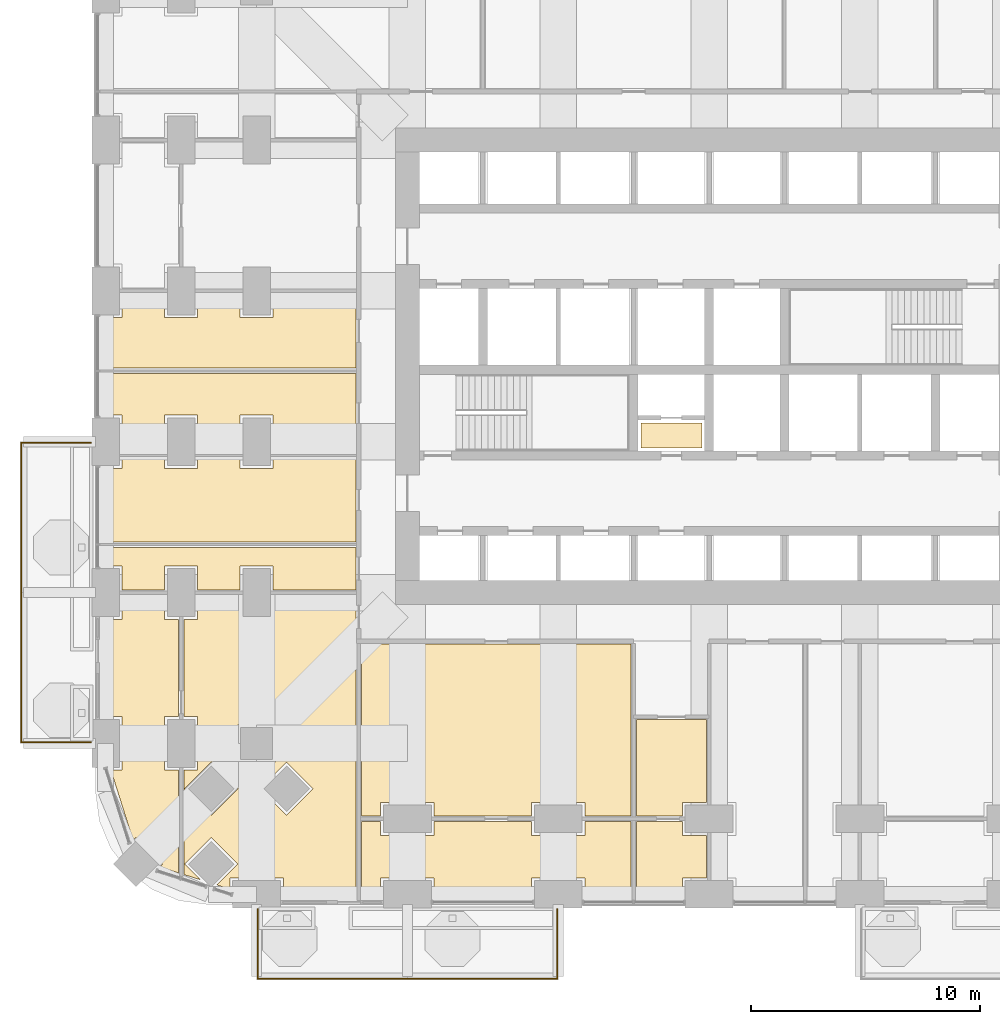
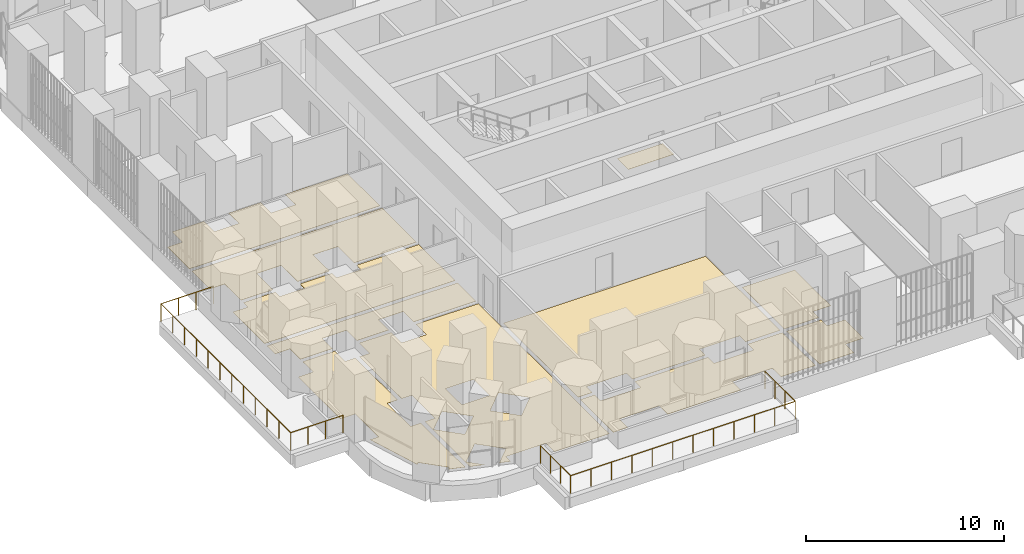
# One storey, part 23 of 27: 11 coverings, 2 railings.
"""IFC4 building model written with IfcOpenShell, lengths in metres."""

from ifc_helpers import new_model, si_unit, direction, frame, origin, place, context, subcontext, project, spatial, polyline, outline, extrude, material, layer, layer_set, type_object, element, save


model = new_model("IFC4")

# Units and contexts
model_context = context("Model", 3, precision=1e-05, world=origin(), true_north=direction((0.0, 1.0)))
body_context = subcontext(model_context, "Body", "Model", "MODEL_VIEW")
ifc_project = project(units=[si_unit("LENGTHUNIT", "METRE"), si_unit("AREAUNIT", "SQUARE_METRE"), si_unit("VOLUMEUNIT", "CUBIC_METRE"), si_unit("PLANEANGLEUNIT", "RADIAN"), si_unit("MASSUNIT", "GRAM", prefix="KILO")], contexts=[model_context])

# Site, building, storey
site_placement = place(None, origin())
site = spatial("IfcSite", under=ifc_project, at=site_placement, CompositionType="ELEMENT")
building_placement = place(site_placement, origin())
building = spatial("IfcBuilding", under=site, at=building_placement, Name="Cobogo Forest Laboratory Tower", CompositionType="ELEMENT")
storey_placement = place(building_placement, frame((0.0, 0.0, 54.89990234375)))
storey = spatial("IfcBuildingStorey", under=building, at=storey_placement, Name="L12", CompositionType="ELEMENT", Elevation=54.89990234375)

# Railings
ifc_material_1 = material(Name="Laminated glass balustrade", Category="glass")
railing_type = type_object("IfcRailingType", Name="BG1 glass balustrade 1100", PredefinedType="GUARDRAIL", material=ifc_material_1)
railing_1_placement = place(storey_placement, frame((6.64990234375, -0.64990234375, 0.0)))
element("IfcRailing", 1, at=railing_1_placement, inside=storey, type_object=railing_type, Name="Balcony balustrade BAL-S1 L12", PredefinedType="GUARDRAIL", context=body_context, shape_type="SweptSolid", body=[
    extrude(outline(polyline([(0.022216796875, 0.00927734375), (0.00927734375, 0.022216796875), (-0.00927734375, 0.022216796875), (-0.022216796875, 0.00927734375), (-0.022216796875, -0.00927734375), (-0.00927734375, -0.022216796875), (0.00927734375, -0.022216796875), (0.022216796875, -0.00927734375), (0.022216796875, 0.00927734375)])), frame((0.0, 0.0, 1.077880859375), z_axis=(0.0, -1.0, 0.0), x_axis=(1.0, 0.0, 0.0)), (0.0, 0.0, 1.0), 3.050048828125),
    extrude(outline(polyline([(0.022216796875, 0.00927734375), (0.00927734375, 0.022216796875), (-0.00927734375, 0.022216796875), (-0.022216796875, 0.00927734375), (-0.022216796875, -0.00927734375), (-0.00927734375, -0.022216796875), (0.00927734375, -0.022216796875), (0.022216796875, -0.00927734375), (0.022216796875, 0.00927734375)])), frame((0.0, -3.050048828125, 1.077880859375), z_axis=(1.0, 0.0, 0.0), x_axis=(0.0, 1.0, 0.0)), (0.0, 0.0, 1.0), 13.10009765625),
    extrude(outline(polyline([(0.022216796875, 0.00927734375), (0.00927734375, 0.022216796875), (-0.00927734375, 0.022216796875), (-0.022216796875, 0.00927734375), (-0.022216796875, -0.00927734375), (-0.00927734375, -0.022216796875), (0.00927734375, -0.022216796875), (0.022216796875, -0.00927734375), (0.022216796875, 0.00927734375)])), frame((13.10009765625, -3.050048828125, 1.077880859375), z_axis=(0.0, 1.0, 0.0), x_axis=(-1.0, 0.0, 0.0)), (0.0, 0.0, 1.0), 3.050048828125),
    extrude(outline(polyline([(0.019287109375, 0.008056640625), (0.008056640625, 0.019287109375), (-0.008056640625, 0.019287109375), (-0.019287109375, 0.008056640625), (-0.019287109375, -0.008056640625), (-0.008056640625, -0.019287109375), (0.008056640625, -0.019287109375), (0.019287109375, -0.008056640625), (0.019287109375, 0.008056640625)])), origin(), (0.0, 0.0, 1.0), 1.077880859375),
    extrude(outline(polyline([(0.019287109375, 0.008056640625), (0.008056640625, 0.019287109375), (-0.008056640625, 0.019287109375), (-0.019287109375, 0.008056640625), (-0.019287109375, -0.008056640625), (-0.008056640625, -0.019287109375), (0.008056640625, -0.019287109375), (0.019287109375, -0.008056640625), (0.019287109375, 0.008056640625)])), frame((0.0, -1.0166015625, 0.0)), (0.0, 0.0, 1.0), 1.077880859375),
    extrude(outline(polyline([(0.019287109375, 0.008056640625), (0.008056640625, 0.019287109375), (-0.008056640625, 0.019287109375), (-0.019287109375, 0.008056640625), (-0.019287109375, -0.008056640625), (-0.008056640625, -0.019287109375), (0.008056640625, -0.019287109375), (0.019287109375, -0.008056640625), (0.019287109375, 0.008056640625)])), frame((0.0, -2.033447265625, 0.0)), (0.0, 0.0, 1.0), 1.077880859375),
    extrude(outline(polyline([(0.019287109375, 0.008056640625), (0.008056640625, 0.019287109375), (-0.008056640625, 0.019287109375), (-0.019287109375, 0.008056640625), (-0.019287109375, -0.008056640625), (-0.008056640625, -0.019287109375), (0.008056640625, -0.019287109375), (0.019287109375, -0.008056640625), (0.019287109375, 0.008056640625)])), frame((0.0, -3.050048828125, 0.0)), (0.0, 0.0, 1.0), 1.077880859375),
    extrude(outline(polyline([(0.019287109375, 0.008056640625), (0.008056640625, 0.019287109375), (-0.008056640625, 0.019287109375), (-0.019287109375, 0.008056640625), (-0.019287109375, -0.008056640625), (-0.008056640625, -0.019287109375), (0.008056640625, -0.019287109375), (0.019287109375, -0.008056640625), (0.019287109375, 0.008056640625)])), frame((1.19091796875, -3.050048828125, 0.0)), (0.0, 0.0, 1.0), 1.077880859375),
    extrude(outline(polyline([(0.019287109375, 0.008056640625), (0.008056640625, 0.019287109375), (-0.008056640625, 0.019287109375), (-0.019287109375, 0.008056640625), (-0.019287109375, -0.008056640625), (-0.008056640625, -0.019287109375), (0.008056640625, -0.019287109375), (0.019287109375, -0.008056640625), (0.019287109375, 0.008056640625)])), frame((2.3818359375, -3.050048828125, 0.0)), (0.0, 0.0, 1.0), 1.077880859375),
    extrude(outline(polyline([(0.019287109375, 0.008056640625), (0.008056640625, 0.019287109375), (-0.008056640625, 0.019287109375), (-0.019287109375, 0.008056640625), (-0.019287109375, -0.008056640625), (-0.008056640625, -0.019287109375), (0.008056640625, -0.019287109375), (0.019287109375, -0.008056640625), (0.019287109375, 0.008056640625)])), frame((3.57275390625, -3.050048828125, 0.0)), (0.0, 0.0, 1.0), 1.077880859375),
    extrude(outline(polyline([(0.019287109375, 0.008056640625), (0.008056640625, 0.019287109375), (-0.008056640625, 0.019287109375), (-0.019287109375, 0.008056640625), (-0.019287109375, -0.008056640625), (-0.008056640625, -0.019287109375), (0.008056640625, -0.019287109375), (0.019287109375, -0.008056640625), (0.019287109375, 0.008056640625)])), frame((4.763671875, -3.050048828125, 0.0)), (0.0, 0.0, 1.0), 1.077880859375),
    extrude(outline(polyline([(0.019287109375, 0.008056640625), (0.008056640625, 0.019287109375), (-0.008056640625, 0.019287109375), (-0.019287109375, 0.008056640625), (-0.019287109375, -0.008056640625), (-0.008056640625, -0.019287109375), (0.008056640625, -0.019287109375), (0.019287109375, -0.008056640625), (0.019287109375, 0.008056640625)])), frame((5.95458984375, -3.050048828125, 0.0)), (0.0, 0.0, 1.0), 1.077880859375),
    extrude(outline(polyline([(0.019287109375, 0.008056640625), (0.008056640625, 0.019287109375), (-0.008056640625, 0.019287109375), (-0.019287109375, 0.008056640625), (-0.019287109375, -0.008056640625), (-0.008056640625, -0.019287109375), (0.008056640625, -0.019287109375), (0.019287109375, -0.008056640625), (0.019287109375, 0.008056640625)])), frame((7.1455078125, -3.050048828125, 0.0)), (0.0, 0.0, 1.0), 1.077880859375),
    extrude(outline(polyline([(0.019287109375, 0.008056640625), (0.008056640625, 0.019287109375), (-0.008056640625, 0.019287109375), (-0.019287109375, 0.008056640625), (-0.019287109375, -0.008056640625), (-0.008056640625, -0.019287109375), (0.008056640625, -0.019287109375), (0.019287109375, -0.008056640625), (0.019287109375, 0.008056640625)])), frame((8.33642578125, -3.050048828125, 0.0)), (0.0, 0.0, 1.0), 1.077880859375),
    extrude(outline(polyline([(0.019287109375, 0.008056640625), (0.008056640625, 0.019287109375), (-0.008056640625, 0.019287109375), (-0.019287109375, 0.008056640625), (-0.019287109375, -0.008056640625), (-0.008056640625, -0.019287109375), (0.008056640625, -0.019287109375), (0.019287109375, -0.008056640625), (0.019287109375, 0.008056640625)])), frame((9.52734375, -3.050048828125, 0.0)), (0.0, 0.0, 1.0), 1.077880859375),
    extrude(outline(polyline([(0.019287109375, 0.008056640625), (0.008056640625, 0.019287109375), (-0.008056640625, 0.019287109375), (-0.019287109375, 0.008056640625), (-0.019287109375, -0.008056640625), (-0.008056640625, -0.019287109375), (0.008056640625, -0.019287109375), (0.019287109375, -0.008056640625), (0.019287109375, 0.008056640625)])), frame((10.71826171875, -3.050048828125, 0.0)), (0.0, 0.0, 1.0), 1.077880859375),
    extrude(outline(polyline([(0.019287109375, 0.008056640625), (0.008056640625, 0.019287109375), (-0.008056640625, 0.019287109375), (-0.019287109375, 0.008056640625), (-0.019287109375, -0.008056640625), (-0.008056640625, -0.019287109375), (0.008056640625, -0.019287109375), (0.019287109375, -0.008056640625), (0.019287109375, 0.008056640625)])), frame((11.9091796875, -3.050048828125, 0.0)), (0.0, 0.0, 1.0), 1.077880859375),
    extrude(outline(polyline([(0.019287109375, 0.008056640625), (0.008056640625, 0.019287109375), (-0.008056640625, 0.019287109375), (-0.019287109375, 0.008056640625), (-0.019287109375, -0.008056640625), (-0.008056640625, -0.019287109375), (0.008056640625, -0.019287109375), (0.019287109375, -0.008056640625), (0.019287109375, 0.008056640625)])), frame((13.10009765625, -3.050048828125, 0.0)), (0.0, 0.0, 1.0), 1.077880859375),
    extrude(outline(polyline([(0.019287109375, 0.008056640625), (0.008056640625, 0.019287109375), (-0.008056640625, 0.019287109375), (-0.019287109375, 0.008056640625), (-0.019287109375, -0.008056640625), (-0.008056640625, -0.019287109375), (0.008056640625, -0.019287109375), (0.019287109375, -0.008056640625), (0.019287109375, 0.008056640625)])), frame((13.10009765625, -2.033447265625, 0.0)), (0.0, 0.0, 1.0), 1.077880859375),
    extrude(outline(polyline([(0.019287109375, 0.008056640625), (0.008056640625, 0.019287109375), (-0.008056640625, 0.019287109375), (-0.019287109375, 0.008056640625), (-0.019287109375, -0.008056640625), (-0.008056640625, -0.019287109375), (0.008056640625, -0.019287109375), (0.019287109375, -0.008056640625), (0.019287109375, 0.008056640625)])), frame((13.10009765625, -1.0166015625, 0.0)), (0.0, 0.0, 1.0), 1.077880859375),
    extrude(outline(polyline([(0.019287109375, 0.008056640625), (0.008056640625, 0.019287109375), (-0.008056640625, 0.019287109375), (-0.019287109375, 0.008056640625), (-0.019287109375, -0.008056640625), (-0.008056640625, -0.019287109375), (0.008056640625, -0.019287109375), (0.019287109375, -0.008056640625), (0.019287109375, 0.008056640625)])), frame((13.10009765625, 0.0, 0.0)), (0.0, 0.0, 1.0), 1.077880859375),
])
railing_2_placement = place(storey_placement, frame((-0.64990234375, 6.64990234375, 0.0)))
element("IfcRailing", 2, at=railing_2_placement, inside=storey, type_object=railing_type, Name="Balcony balustrade BAL-W1 L12", PredefinedType="GUARDRAIL", context=body_context, shape_type="SweptSolid", body=[
    extrude(outline(polyline([(0.022216796875, 0.00927734375), (0.00927734375, 0.022216796875), (-0.00927734375, 0.022216796875), (-0.022216796875, 0.00927734375), (-0.022216796875, -0.00927734375), (-0.00927734375, -0.022216796875), (0.00927734375, -0.022216796875), (0.022216796875, -0.00927734375), (0.022216796875, 0.00927734375)])), frame((0.0, 0.0, 1.077880859375), z_axis=(-1.0, 0.0, 0.0), x_axis=(0.0, -1.0, 0.0)), (0.0, 0.0, 1.0), 3.050048828125),
    extrude(outline(polyline([(0.022216796875, 0.00927734375), (0.00927734375, 0.022216796875), (-0.00927734375, 0.022216796875), (-0.022216796875, 0.00927734375), (-0.022216796875, -0.00927734375), (-0.00927734375, -0.022216796875), (0.00927734375, -0.022216796875), (0.022216796875, -0.00927734375), (0.022216796875, 0.00927734375)])), frame((-3.050048828125, 0.0, 1.077880859375), z_axis=(0.0, 1.0, 0.0), x_axis=(-1.0, 0.0, 0.0)), (0.0, 0.0, 1.0), 13.10009765625),
    extrude(outline(polyline([(0.022216796875, 0.00927734375), (0.00927734375, 0.022216796875), (-0.00927734375, 0.022216796875), (-0.022216796875, 0.00927734375), (-0.022216796875, -0.00927734375), (-0.00927734375, -0.022216796875), (0.00927734375, -0.022216796875), (0.022216796875, -0.00927734375), (0.022216796875, 0.00927734375)])), frame((-3.050048828125, 13.10009765625, 1.077880859375), z_axis=(1.0, 0.0, 0.0), x_axis=(0.0, 1.0, 0.0)), (0.0, 0.0, 1.0), 3.050048828125),
    extrude(outline(polyline([(0.019287109375, 0.008056640625), (0.008056640625, 0.019287109375), (-0.008056640625, 0.019287109375), (-0.019287109375, 0.008056640625), (-0.019287109375, -0.008056640625), (-0.008056640625, -0.019287109375), (0.008056640625, -0.019287109375), (0.019287109375, -0.008056640625), (0.019287109375, 0.008056640625)])), origin(), (0.0, 0.0, 1.0), 1.077880859375),
    extrude(outline(polyline([(0.019287109375, 0.008056640625), (0.008056640625, 0.019287109375), (-0.008056640625, 0.019287109375), (-0.019287109375, 0.008056640625), (-0.019287109375, -0.008056640625), (-0.008056640625, -0.019287109375), (0.008056640625, -0.019287109375), (0.019287109375, -0.008056640625), (0.019287109375, 0.008056640625)])), frame((-1.0166015625, 0.0, 0.0)), (0.0, 0.0, 1.0), 1.077880859375),
    extrude(outline(polyline([(0.019287109375, 0.008056640625), (0.008056640625, 0.019287109375), (-0.008056640625, 0.019287109375), (-0.019287109375, 0.008056640625), (-0.019287109375, -0.008056640625), (-0.008056640625, -0.019287109375), (0.008056640625, -0.019287109375), (0.019287109375, -0.008056640625), (0.019287109375, 0.008056640625)])), frame((-2.033447265625, 0.0, 0.0)), (0.0, 0.0, 1.0), 1.077880859375),
    extrude(outline(polyline([(0.019287109375, 0.008056640625), (0.008056640625, 0.019287109375), (-0.008056640625, 0.019287109375), (-0.019287109375, 0.008056640625), (-0.019287109375, -0.008056640625), (-0.008056640625, -0.019287109375), (0.008056640625, -0.019287109375), (0.019287109375, -0.008056640625), (0.019287109375, 0.008056640625)])), frame((-3.050048828125, 0.0, 0.0)), (0.0, 0.0, 1.0), 1.077880859375),
    extrude(outline(polyline([(0.019287109375, 0.008056640625), (0.008056640625, 0.019287109375), (-0.008056640625, 0.019287109375), (-0.019287109375, 0.008056640625), (-0.019287109375, -0.008056640625), (-0.008056640625, -0.019287109375), (0.008056640625, -0.019287109375), (0.019287109375, -0.008056640625), (0.019287109375, 0.008056640625)])), frame((-3.050048828125, 1.19091796875, 0.0)), (0.0, 0.0, 1.0), 1.077880859375),
    extrude(outline(polyline([(0.019287109375, 0.008056640625), (0.008056640625, 0.019287109375), (-0.008056640625, 0.019287109375), (-0.019287109375, 0.008056640625), (-0.019287109375, -0.008056640625), (-0.008056640625, -0.019287109375), (0.008056640625, -0.019287109375), (0.019287109375, -0.008056640625), (0.019287109375, 0.008056640625)])), frame((-3.050048828125, 2.3818359375, 0.0)), (0.0, 0.0, 1.0), 1.077880859375),
    extrude(outline(polyline([(0.019287109375, 0.008056640625), (0.008056640625, 0.019287109375), (-0.008056640625, 0.019287109375), (-0.019287109375, 0.008056640625), (-0.019287109375, -0.008056640625), (-0.008056640625, -0.019287109375), (0.008056640625, -0.019287109375), (0.019287109375, -0.008056640625), (0.019287109375, 0.008056640625)])), frame((-3.050048828125, 3.57275390625, 0.0)), (0.0, 0.0, 1.0), 1.077880859375),
    extrude(outline(polyline([(0.019287109375, 0.008056640625), (0.008056640625, 0.019287109375), (-0.008056640625, 0.019287109375), (-0.019287109375, 0.008056640625), (-0.019287109375, -0.008056640625), (-0.008056640625, -0.019287109375), (0.008056640625, -0.019287109375), (0.019287109375, -0.008056640625), (0.019287109375, 0.008056640625)])), frame((-3.050048828125, 4.763671875, 0.0)), (0.0, 0.0, 1.0), 1.077880859375),
    extrude(outline(polyline([(0.019287109375, 0.008056640625), (0.008056640625, 0.019287109375), (-0.008056640625, 0.019287109375), (-0.019287109375, 0.008056640625), (-0.019287109375, -0.008056640625), (-0.008056640625, -0.019287109375), (0.008056640625, -0.019287109375), (0.019287109375, -0.008056640625), (0.019287109375, 0.008056640625)])), frame((-3.050048828125, 5.95458984375, 0.0)), (0.0, 0.0, 1.0), 1.077880859375),
    extrude(outline(polyline([(0.019287109375, 0.008056640625), (0.008056640625, 0.019287109375), (-0.008056640625, 0.019287109375), (-0.019287109375, 0.008056640625), (-0.019287109375, -0.008056640625), (-0.008056640625, -0.019287109375), (0.008056640625, -0.019287109375), (0.019287109375, -0.008056640625), (0.019287109375, 0.008056640625)])), frame((-3.050048828125, 7.1455078125, 0.0)), (0.0, 0.0, 1.0), 1.077880859375),
    extrude(outline(polyline([(0.019287109375, 0.008056640625), (0.008056640625, 0.019287109375), (-0.008056640625, 0.019287109375), (-0.019287109375, 0.008056640625), (-0.019287109375, -0.008056640625), (-0.008056640625, -0.019287109375), (0.008056640625, -0.019287109375), (0.019287109375, -0.008056640625), (0.019287109375, 0.008056640625)])), frame((-3.050048828125, 8.33642578125, 0.0)), (0.0, 0.0, 1.0), 1.077880859375),
    extrude(outline(polyline([(0.019287109375, 0.008056640625), (0.008056640625, 0.019287109375), (-0.008056640625, 0.019287109375), (-0.019287109375, 0.008056640625), (-0.019287109375, -0.008056640625), (-0.008056640625, -0.019287109375), (0.008056640625, -0.019287109375), (0.019287109375, -0.008056640625), (0.019287109375, 0.008056640625)])), frame((-3.050048828125, 9.52734375, 0.0)), (0.0, 0.0, 1.0), 1.077880859375),
    extrude(outline(polyline([(0.019287109375, 0.008056640625), (0.008056640625, 0.019287109375), (-0.008056640625, 0.019287109375), (-0.019287109375, 0.008056640625), (-0.019287109375, -0.008056640625), (-0.008056640625, -0.019287109375), (0.008056640625, -0.019287109375), (0.019287109375, -0.008056640625), (0.019287109375, 0.008056640625)])), frame((-3.050048828125, 10.71826171875, 0.0)), (0.0, 0.0, 1.0), 1.077880859375),
    extrude(outline(polyline([(0.019287109375, 0.008056640625), (0.008056640625, 0.019287109375), (-0.008056640625, 0.019287109375), (-0.019287109375, 0.008056640625), (-0.019287109375, -0.008056640625), (-0.008056640625, -0.019287109375), (0.008056640625, -0.019287109375), (0.019287109375, -0.008056640625), (0.019287109375, 0.008056640625)])), frame((-3.050048828125, 11.9091796875, 0.0)), (0.0, 0.0, 1.0), 1.077880859375),
    extrude(outline(polyline([(0.019287109375, 0.008056640625), (0.008056640625, 0.019287109375), (-0.008056640625, 0.019287109375), (-0.019287109375, 0.008056640625), (-0.019287109375, -0.008056640625), (-0.008056640625, -0.019287109375), (0.008056640625, -0.019287109375), (0.019287109375, -0.008056640625), (0.019287109375, 0.008056640625)])), frame((-3.050048828125, 13.10009765625, 0.0)), (0.0, 0.0, 1.0), 1.077880859375),
    extrude(outline(polyline([(0.019287109375, 0.008056640625), (0.008056640625, 0.019287109375), (-0.008056640625, 0.019287109375), (-0.019287109375, 0.008056640625), (-0.019287109375, -0.008056640625), (-0.008056640625, -0.019287109375), (0.008056640625, -0.019287109375), (0.019287109375, -0.008056640625), (0.019287109375, 0.008056640625)])), frame((-2.033447265625, 13.10009765625, 0.0)), (0.0, 0.0, 1.0), 1.077880859375),
    extrude(outline(polyline([(0.019287109375, 0.008056640625), (0.008056640625, 0.019287109375), (-0.008056640625, 0.019287109375), (-0.019287109375, 0.008056640625), (-0.019287109375, -0.008056640625), (-0.008056640625, -0.019287109375), (0.008056640625, -0.019287109375), (0.019287109375, -0.008056640625), (0.019287109375, 0.008056640625)])), frame((-1.0166015625, 13.10009765625, 0.0)), (0.0, 0.0, 1.0), 1.077880859375),
    extrude(outline(polyline([(0.019287109375, 0.008056640625), (0.008056640625, 0.019287109375), (-0.008056640625, 0.019287109375), (-0.019287109375, 0.008056640625), (-0.019287109375, -0.008056640625), (-0.008056640625, -0.019287109375), (0.008056640625, -0.019287109375), (0.019287109375, -0.008056640625), (0.019287109375, 0.008056640625)])), frame((0.0, 13.10009765625, 0.0)), (0.0, 0.0, 1.0), 1.077880859375),
])

# Coverings
ifc_material_2 = material(Name="Carpet tile on raised access floor", Category="flooring")
ifc_layer_1 = layer(ifc_material_2, 0.008056640625)
ifc_layer_set_1 = layer_set([ifc_layer_1], Name="CT1 carpet tile floor 8")
covering_type_1 = type_object("IfcCoveringType", Name="CT1 carpet tile floor 8", PredefinedType="FLOORING", material=ifc_layer_set_1)
covering_1_placement = place(storey_placement, origin())
element("IfcCovering", 3, at=covering_1_placement, inside=storey, type_object=covering_type_1, Name="Carpet floor L12-02", PredefinedType="FLOORING", context=body_context, shape_type="SweptSolid", body=[
    extrude(outline(polyline([(12.030029296875, 3.179931640625), (12.030029296875, 2.580078125), (14.3701171875, 2.580078125), (14.3701171875, 3.179931640625), (18.6298828125, 3.179931640625), (18.6298828125, 2.580078125), (20.969970703125, 2.580078125), (20.969970703125, 3.179931640625), (22.97998046875, 3.179931640625), (22.97998046875, -0.14990234375), (20.969970703125, -0.14990234375), (20.969970703125, 0.719970703125), (18.6298828125, 0.719970703125), (18.6298828125, -0.14990234375), (14.3701171875, -0.14990234375), (14.3701171875, 0.719970703125), (12.030029296875, 0.719970703125), (12.030029296875, -0.14990234375), (11.195068359375, -0.14990234375), (11.195068359375, 3.179931640625), (12.030029296875, 3.179931640625)])), origin(), (0.0, 0.0, 1.0), 0.008056640625),
])
covering_2_placement = place(storey_placement, origin())
element("IfcCovering", 4, at=covering_2_placement, inside=storey, type_object=covering_type_1, Name="Carpet floor L12-04", PredefinedType="FLOORING", context=body_context, shape_type="SweptSolid", body=[
    extrude(outline(polyline([(25.22998046875, 3.179931640625), (25.22998046875, 2.580078125), (26.280029296875, 2.580078125), (26.280029296875, 0.719970703125), (25.22998046875, 0.719970703125), (25.22998046875, -0.14990234375), (23.219970703125, -0.14990234375), (23.219970703125, 3.179931640625), (25.22998046875, 3.179931640625)])), origin(), (0.0, 0.0, 1.0), 0.008056640625),
])
covering_3_placement = place(storey_placement, origin())
element("IfcCovering", 5, at=covering_3_placement, inside=storey, type_object=covering_type_1, Name="Carpet floor L12-29", PredefinedType="FLOORING", context=body_context, shape_type="SweptSolid", body=[
    extrude(outline(polyline([(3.179931640625, 7.77001953125), (2.580078125, 7.77001953125), (2.580078125, 5.429931640625), (3.179931640625, 5.429931640625), (3.179931640625, 0.939697265625), (2.358642578125, 1.19921875), (2.477783203125, 1.318115234375), (1.318115234375, 2.477783203125), (1.19921875, 2.358642578125), (0.229248046875, 5.429931640625), (0.719970703125, 5.429931640625), (0.719970703125, 7.77001953125), (-0.14990234375, 7.77001953125), (-0.14990234375, 12.030029296875), (0.719970703125, 12.030029296875), (0.719970703125, 13.080078125), (2.580078125, 13.080078125), (2.580078125, 12.030029296875), (3.179931640625, 12.030029296875), (3.179931640625, 7.77001953125)])), origin(), (0.0, 0.0, 1.0), 0.008056640625),
])
covering_4_placement = place(storey_placement, origin())
element("IfcCovering", 6, at=covering_4_placement, inside=storey, type_object=covering_type_1, Name="Carpet floor L12-42", PredefinedType="FLOORING", context=body_context, shape_type="SweptSolid", body=[
    extrude(outline(polyline([(26.080078125, 19.52001953125), (23.419921875, 19.52001953125), (23.419921875, 20.6298828125), (26.080078125, 20.6298828125), (26.080078125, 19.52001953125)])), origin(), (0.0, 0.0, 1.0), 0.008056640625),
])
ifc_material_3 = material(Name="Epoxy resin flooring", Category="flooring")
ifc_layer_2 = layer(ifc_material_3, 0.00390625)
ifc_layer_set_2 = layer_set([ifc_layer_2], Name="LF1 epoxy laboratory floor 4")
covering_type_2 = type_object("IfcCoveringType", Name="LF1 epoxy laboratory floor 4", PredefinedType="FLOORING", material=ifc_layer_set_2)
covering_5_placement = place(storey_placement, origin())
element("IfcCovering", 7, at=covering_5_placement, inside=storey, type_object=covering_type_2, Name="Epoxy laboratory floor L12-01", PredefinedType="FLOORING", context=body_context, shape_type="SweptSolid", body=[
    extrude(outline(polyline([(11.195068359375, 10.955078125), (22.97998046875, 10.955078125), (22.97998046875, 3.419921875), (20.969970703125, 3.419921875), (20.969970703125, 4.02001953125), (18.6298828125, 4.02001953125), (18.6298828125, 3.419921875), (14.3701171875, 3.419921875), (14.3701171875, 4.02001953125), (12.030029296875, 4.02001953125), (12.030029296875, 3.419921875), (11.195068359375, 3.419921875), (11.195068359375, 10.955078125)])), origin(), (0.0, 0.0, 1.0), 0.004150390625),
])
covering_6_placement = place(storey_placement, origin())
element("IfcCovering", 8, at=covering_6_placement, inside=storey, type_object=covering_type_2, Name="Epoxy laboratory floor L12-03", PredefinedType="FLOORING", context=body_context, shape_type="SweptSolid", body=[
    extrude(outline(polyline([(23.219970703125, 7.655029296875), (26.280029296875, 7.655029296875), (26.280029296875, 4.02001953125), (25.22998046875, 4.02001953125), (25.22998046875, 3.419921875), (23.219970703125, 3.419921875), (23.219970703125, 7.655029296875)])), origin(), (0.0, 0.0, 1.0), 0.004150390625),
])
covering_7_placement = place(storey_placement, origin())
element("IfcCovering", 9, at=covering_7_placement, inside=storey, type_object=covering_type_2, Name="Epoxy laboratory floor L12-28", PredefinedType="FLOORING", context=body_context, shape_type="SweptSolid", body=[
    extrude(outline(polyline([(5.8798828125, 13.080078125), (5.8798828125, 12.030029296875), (7.320068359375, 12.030029296875), (7.320068359375, 13.080078125), (10.955078125, 13.080078125), (10.955078125, -0.14990234375), (7.77001953125, -0.14990234375), (7.77001953125, 0.719970703125), (5.429931640625, 0.719970703125), (5.429931640625, 0.229248046875), (4.86669921875, 0.406982421875), (5.777587890625, 1.318115234375), (4.617919921875, 2.477783203125), (3.458251953125, 1.318115234375), (4.1396484375, 0.63671875), (3.419921875, 0.864013671875), (3.419921875, 5.429931640625), (4.02001953125, 5.429931640625), (4.02001953125, 7.77001953125), (3.419921875, 7.77001953125), (3.419921875, 12.030029296875), (4.02001953125, 12.030029296875), (4.02001953125, 13.080078125), (5.8798828125, 13.080078125)]), holes=[polyline([(7.91796875, 5.777587890625), (6.75830078125, 4.617919921875), (7.91796875, 3.458251953125), (9.07763671875, 4.617919921875), (7.91796875, 5.777587890625)]), polyline([(5.780029296875, 7.419921875), (5.780029296875, 5.780029296875), (7.419921875, 5.780029296875), (7.419921875, 7.419921875), (5.780029296875, 7.419921875)]), polyline([(3.458251953125, 4.617919921875), (4.617919921875, 3.458251953125), (5.777587890625, 4.617919921875), (4.617919921875, 5.777587890625), (3.458251953125, 4.617919921875)])]), origin(), (0.0, 0.0, 1.0), 0.004150390625),
])
ifc_material_4 = material(Name="Ceramic floor tile", Category="flooring")
ifc_layer_3 = layer(ifc_material_4, 0.010009765625)
ifc_layer_set_3 = layer_set([ifc_layer_3], Name="TF1 ceramic tile floor 10")
covering_type_3 = type_object("IfcCoveringType", Name="TF1 ceramic tile floor 10", PredefinedType="FLOORING", material=ifc_layer_set_3)
covering_8_placement = place(storey_placement, origin())
element("IfcCovering", 10, at=covering_8_placement, inside=storey, type_object=covering_type_3, Name="Tile floor L12-30", PredefinedType="FLOORING", context=body_context, shape_type="SweptSolid", body=[
    extrude(outline(polyline([(10.955078125, 13.320068359375), (7.320068359375, 13.320068359375), (7.320068359375, 14.3701171875), (5.8798828125, 14.3701171875), (5.8798828125, 13.320068359375), (4.02001953125, 13.320068359375), (4.02001953125, 14.3701171875), (2.580078125, 14.3701171875), (2.580078125, 13.320068359375), (0.719970703125, 13.320068359375), (0.719970703125, 14.3701171875), (-0.14990234375, 14.3701171875), (-0.14990234375, 15.179931640625), (10.955078125, 15.179931640625), (10.955078125, 13.320068359375)])), origin(), (0.0, 0.0, 1.0), 0.010009765625),
])
covering_9_placement = place(storey_placement, origin())
element("IfcCovering", 11, at=covering_9_placement, inside=storey, type_object=covering_type_3, Name="Tile floor L12-31", PredefinedType="FLOORING", context=body_context, shape_type="SweptSolid", body=[
    extrude(outline(polyline([(10.955078125, 15.419921875), (-0.14990234375, 15.419921875), (-0.14990234375, 18.6298828125), (0.719970703125, 18.6298828125), (0.719970703125, 19.080078125), (2.580078125, 19.080078125), (2.580078125, 18.6298828125), (4.02001953125, 18.6298828125), (4.02001953125, 19.080078125), (5.8798828125, 19.080078125), (5.8798828125, 18.6298828125), (7.320068359375, 18.6298828125), (7.320068359375, 19.080078125), (10.955078125, 19.080078125), (10.955078125, 15.419921875)])), origin(), (0.0, 0.0, 1.0), 0.010009765625),
])
covering_10_placement = place(storey_placement, origin())
element("IfcCovering", 12, at=covering_10_placement, inside=storey, type_object=covering_type_3, Name="Tile floor L12-32", PredefinedType="FLOORING", context=body_context, shape_type="SweptSolid", body=[
    extrude(outline(polyline([(10.955078125, 19.320068359375), (7.320068359375, 19.320068359375), (7.320068359375, 20.969970703125), (5.8798828125, 20.969970703125), (5.8798828125, 19.320068359375), (4.02001953125, 19.320068359375), (4.02001953125, 20.969970703125), (2.580078125, 20.969970703125), (2.580078125, 19.320068359375), (0.719970703125, 19.320068359375), (0.719970703125, 20.969970703125), (-0.14990234375, 20.969970703125), (-0.14990234375, 22.780029296875), (10.955078125, 22.780029296875), (10.955078125, 19.320068359375)])), origin(), (0.0, 0.0, 1.0), 0.010009765625),
])
covering_11_placement = place(storey_placement, origin())
element("IfcCovering", 13, at=covering_11_placement, inside=storey, type_object=covering_type_3, Name="Tile floor L12-33", PredefinedType="FLOORING", context=body_context, shape_type="SweptSolid", body=[
    extrude(outline(polyline([(10.955078125, 23.02001953125), (-0.14990234375, 23.02001953125), (-0.14990234375, 25.22998046875), (0.719970703125, 25.22998046875), (0.719970703125, 26.280029296875), (2.580078125, 26.280029296875), (2.580078125, 25.22998046875), (4.02001953125, 25.22998046875), (4.02001953125, 26.280029296875), (5.8798828125, 26.280029296875), (5.8798828125, 25.22998046875), (7.320068359375, 25.22998046875), (7.320068359375, 26.280029296875), (10.955078125, 26.280029296875), (10.955078125, 23.02001953125)])), origin(), (0.0, 0.0, 1.0), 0.010009765625),
])

save(model, "model.ifc")
